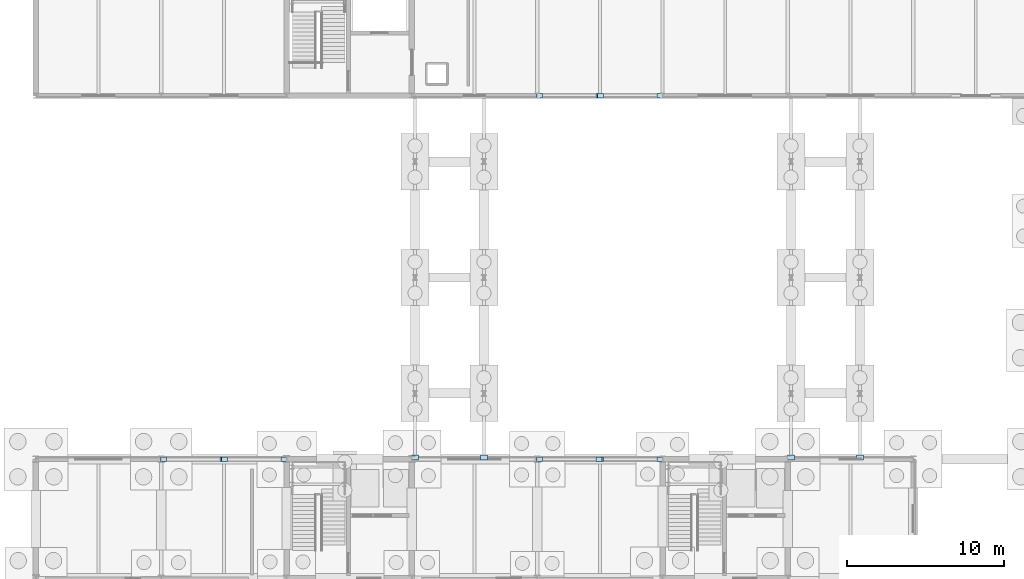
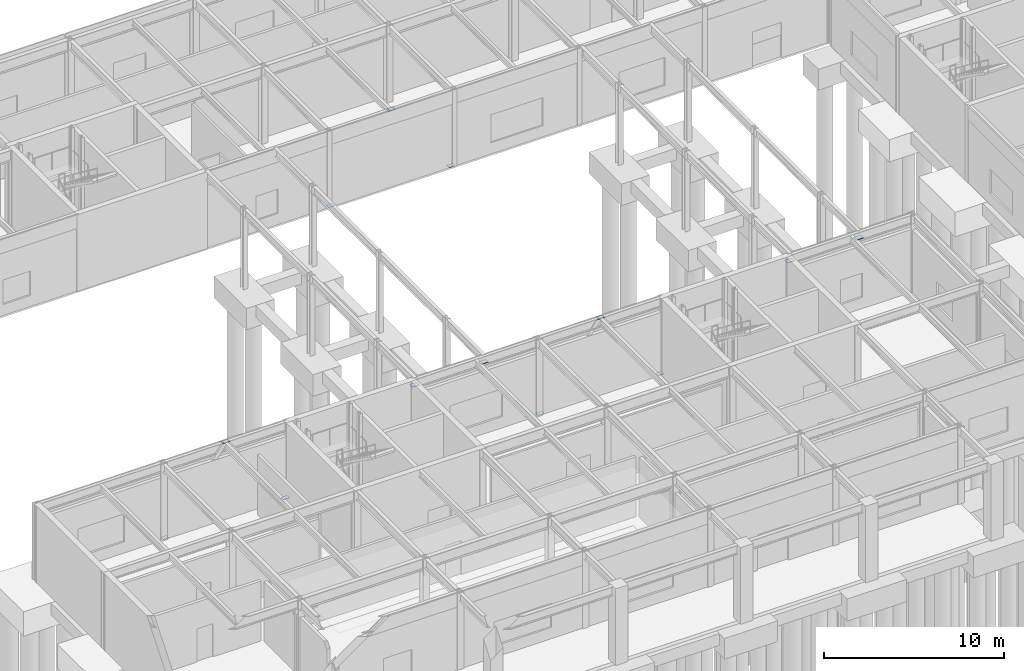
# One storey, part 36 of 62: 16 plates.
"""IFC4 building model written with IfcOpenShell, lengths in metres."""

from ifc_helpers import new_model, si_unit, direction, frame, origin, origin_2d, place, context, subcontext, project, spatial, rectangle, extrude, material, layer, layer_set, type_object, element, save


model = new_model("IFC4")

# Units and contexts
model_context = context("Model", 3, precision=1e-05, world=origin(), true_north=direction((0.0, 1.0)))
body_context = subcontext(model_context, "Body", "Model", "MODEL_VIEW")
ifc_project = project(units=[si_unit("LENGTHUNIT", "METRE"), si_unit("AREAUNIT", "SQUARE_METRE"), si_unit("VOLUMEUNIT", "CUBIC_METRE"), si_unit("PLANEANGLEUNIT", "RADIAN"), si_unit("MASSUNIT", "GRAM", prefix="KILO")], contexts=[model_context])

# Site, building, storey
site_placement = place(None, origin())
site = spatial("IfcSite", under=ifc_project, at=site_placement, CompositionType="ELEMENT")
building_placement = place(site_placement, origin())
building = spatial("IfcBuilding", under=site, at=building_placement, Name="Zulena Civic Courthouse", CompositionType="ELEMENT")
storey_placement = place(building_placement, origin())
storey = spatial("IfcBuildingStorey", under=building, at=storey_placement, Name="L00", CompositionType="ELEMENT", Elevation=0.0)

# Plates
ifc_material = material(Name="Steel ASTM A572 Grade 50", Category="steel")
ifc_layer_1 = layer(ifc_material, 0.028076171875)
ifc_layer_set_1 = layer_set([ifc_layer_1], Name="Steel ASTM A572 Grade 50")
plate_type_1 = type_object("IfcPlateType", Name="BearingPlate_450x320x28", PredefinedType="SHEET", material=ifc_layer_set_1)
for number, where, z_axis, x_axis, name in (
    (1, (28.199951171875, 22.919921875, 4.64013671875), (0.0, 0.0, 1.0), (1.0, 0.0, 0.0), "plate:ptfe:BR-52J:L01:28.20"),
    (2, (32.60009765625, 22.919921875, 4.64013671875), (0.0, 0.0, 1.0), (1.0, 0.0, 0.0), "plate:ptfe:BR-52J:L01:32.60"),
    (3, (52.199951171875, 22.919921875, 4.64013671875), (0.0, 0.0, 1.0), (1.0, 0.0, 0.0), "plate:ptfe:BR-52C:L01:52.20"),
    (4, (56.60009765625, 22.919921875, 4.64013671875), (0.0, 0.0, 1.0), (1.0, 0.0, 0.0), "plate:ptfe:BR-52C:L01:56.60"),
):
    element("IfcPlate", number, at=place(storey_placement, frame(where, z_axis=z_axis, x_axis=x_axis)), inside=storey, type_object=plate_type_1, Name=name, PredefinedType="SHEET", context=body_context, shape_type="SweptSolid", body=[
        extrude(rectangle(XDim=0.449951171875, YDim=0.320068359375, at=origin_2d()), origin(), (0.0, 0.0, 1.0), 0.028076171875),
    ])
ifc_layer_2 = layer(ifc_material, 0.02197265625)
ifc_layer_set_2 = layer_set([ifc_layer_2], Name="Steel ASTM A572 Grade 50")
plate_type_2 = type_object("IfcPlateType", Name="GussetPlate_380x280x22", PredefinedType="SHEET", material=ifc_layer_set_2)
for number, where, z_axis, x_axis, name in (
    (5, (12.14990234375, 22.800048828125, -0.0009765625), (0.0, 0.0, 1.0), (1.0, 0.0, 0.0), "plate:br:V2:L00:0:0:0"),
    (6, (15.949951171875, 22.800048828125, 5.14892578125), (0.0, 0.0, 1.0), (1.0, 0.0, 0.0), "plate:br:V2:L00:0:0:1"),
    (7, (19.85009765625, 22.800048828125, -0.0009765625), (0.0, 0.0, 1.0), (1.0, 0.0, 0.0), "plate:br:V2:L00:0:1:0"),
    (8, (16.050048828125, 22.800048828125, 5.14892578125), (0.0, 0.0, 1.0), (1.0, 0.0, 0.0), "plate:br:V2:L00:0:1:1"),
    (9, (36.14990234375, 22.800048828125, -0.0009765625), (0.0, 0.0, 1.0), (1.0, 0.0, 0.0), "plate:br:V2:L00:1:0:0"),
    (10, (39.949951171875, 22.800048828125, 5.14892578125), (0.0, 0.0, 1.0), (1.0, 0.0, 0.0), "plate:br:V2:L00:1:0:1"),
    (11, (43.85009765625, 22.800048828125, -0.0009765625), (0.0, 0.0, 1.0), (1.0, 0.0, 0.0), "plate:br:V2:L00:1:1:0"),
    (12, (40.050048828125, 22.800048828125, 5.14892578125), (0.0, 0.0, 1.0), (1.0, 0.0, 0.0), "plate:br:V2:L00:1:1:1"),
    (13, (36.14990234375, 46.0, -0.0009765625), (0.0, 0.0, 1.0), (1.0, 0.0, 0.0), "plate:br:V5:L00:5:0:0"),
    (14, (39.949951171875, 46.0, 5.14892578125), (0.0, 0.0, 1.0), (1.0, 0.0, 0.0), "plate:br:V5:L00:5:0:1"),
    (15, (43.85009765625, 46.0, -0.0009765625), (0.0, 0.0, 1.0), (1.0, 0.0, 0.0), "plate:br:V5:L00:5:1:0"),
    (16, (40.050048828125, 46.0, 5.14892578125), (0.0, 0.0, 1.0), (1.0, 0.0, 0.0), "plate:br:V5:L00:5:1:1"),
):
    element("IfcPlate", number, at=place(storey_placement, frame(where, z_axis=z_axis, x_axis=x_axis)), inside=storey, type_object=plate_type_2, Name=name, PredefinedType="SHEET", context=body_context, shape_type="SweptSolid", body=[
        extrude(rectangle(XDim=0.3798828125, YDim=0.280029296875, at=origin_2d()), origin(), (0.0, 0.0, 1.0), 0.02197265625),
    ])

save(model, "model.ifc")
